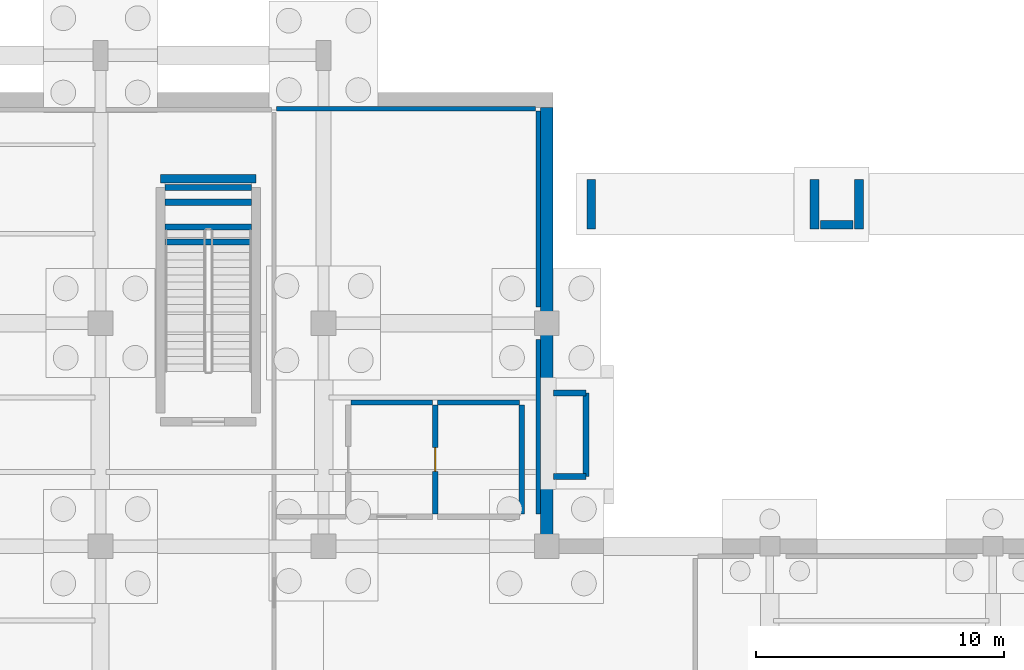
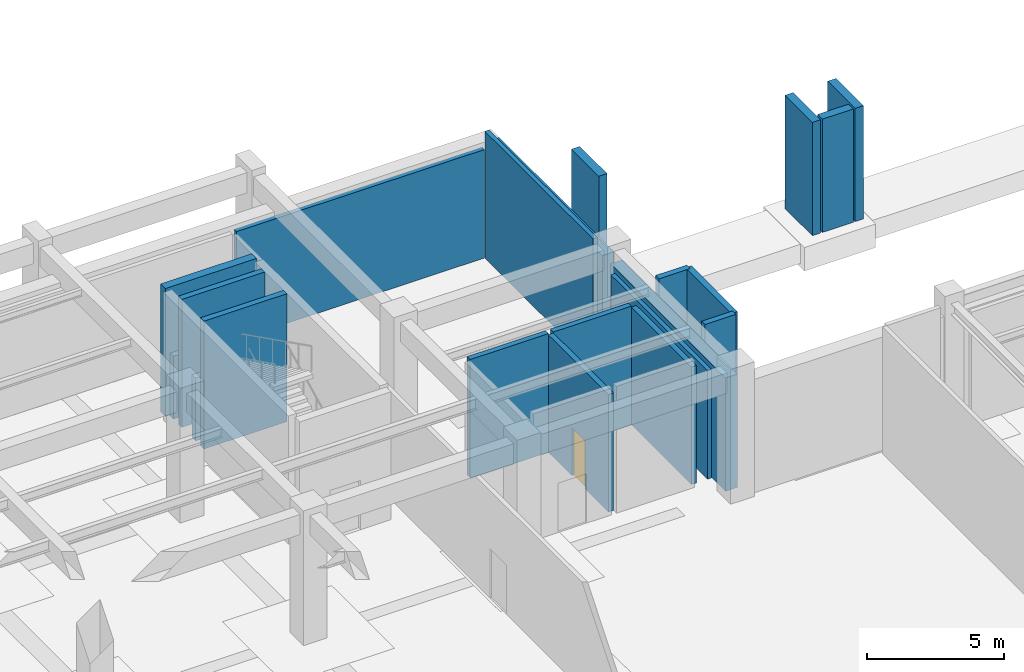
# One storey, part 22 of 36: 21 walls, 1 door, 1 opening.
"""IFC4 building model written with IfcOpenShell, lengths in metres."""

from ifc_helpers import new_model, si_unit, direction, frame, frame_2d, origin, place, context, subcontext, project, spatial, rectangle, extrude, material, layer, layer_set, type_object, element, fill, save


model = new_model("IFC4")

# Units and contexts
model_context = context("Model", 3, precision=1e-05, world=origin(), true_north=direction((0.0, 1.0)))
body_context = subcontext(model_context, "Body", "Model", "MODEL_VIEW")
ifc_project = project(units=[si_unit("LENGTHUNIT", "METRE"), si_unit("AREAUNIT", "SQUARE_METRE"), si_unit("VOLUMEUNIT", "CUBIC_METRE"), si_unit("PLANEANGLEUNIT", "RADIAN"), si_unit("MASSUNIT", "GRAM", prefix="KILO")], contexts=[model_context])

# Site, building, storey
site_placement = place(None, origin())
site = spatial("IfcSite", under=ifc_project, at=site_placement, CompositionType="ELEMENT")
building_placement = place(site_placement, origin())
building = spatial("IfcBuilding", under=site, at=building_placement, Name="Haizhuo Lancet Aquarium", CompositionType="ELEMENT")
storey_placement = place(building_placement, frame((0.0, 0.0, -6.0)))
storey = spatial("IfcBuildingStorey", under=building, at=storey_placement, Name="B1", CompositionType="ELEMENT", Elevation=-6.0)

# Walls
ifc_material_1 = material(Name="Concrete C40/50", Category="concrete")
ifc_layer_1 = layer(ifc_material_1, 0.179931640625)
ifc_layer_set_1 = layer_set([ifc_layer_1], Name="Concrete C40/50")
wall_type_1 = type_object("IfcWallType", Name="IWL-LAB-180", PredefinedType="PARTITIONING", material=ifc_layer_set_1)
wall_1_placement = place(storey_placement, frame((26.64990234375, 37.300048828125, 0.0), z_axis=(0.0, 0.0, 1.0), x_axis=(0.0, 1.0, 0.0)))
element("IfcWall", 1, at=wall_1_placement, inside=storey, type_object=wall_type_1, Name="B1 partition wall 75", PredefinedType="PARTITIONING", context=body_context, shape_type="SweptSolid", body=[
    extrude(rectangle(XDim=7.050048828125, YDim=0.179931640625, at=frame_2d((3.52490234375, 0.0))), origin(), (0.0, 0.0, 1.0), 4.8349609375),
])
wall_2_placement = place(storey_placement, frame((26.64990234375, 45.64990234375, 0.0), z_axis=(0.0, 0.0, 1.0), x_axis=(0.0, 1.0, 0.0)))
element("IfcWall", 2, at=wall_2_placement, inside=storey, type_object=wall_type_1, Name="B1 partition wall 76", PredefinedType="PARTITIONING", context=body_context, shape_type="SweptSolid", body=[
    extrude(rectangle(XDim=7.900146484375, YDim=0.179931640625, at=frame_2d((3.9501953125, 0.0))), origin(), (0.0, 0.0, 1.0), 5.64990234375),
])
wall_3_placement = place(storey_placement, frame((26.550048828125, 53.64990234375, 0.0), z_axis=(0.0, 0.0, 1.0), x_axis=(-1.0, 0.0, 0.0)))
element("IfcWall", 3, at=wall_3_placement, inside=storey, type_object=wall_type_1, Name="B1 partition wall 77", PredefinedType="PARTITIONING", context=body_context, shape_type="SweptSolid", body=[
    extrude(rectangle(XDim=10.449951171875, YDim=0.179931640625, at=frame_2d((5.22509765625, 0.0))), origin(), (0.0, 0.0, 1.0), 4.8349609375),
])

# Wall, opening, door
ifc_layer_2 = layer(ifc_material_1, 0.219970703125)
ifc_layer_set_2 = layer_set([ifc_layer_2], Name="Concrete C40/50")
wall_type_2 = type_object("IfcWallType", Name="IWL-PLB-220", PredefinedType="PLUMBINGWALL", material=ifc_layer_set_2)
wall_4_placement = place(storey_placement, frame((22.5, 37.300048828125, 0.0), z_axis=(0.0, 0.0, 1.0), x_axis=(0.0, 1.0, 0.0)))
wall_4 = element("IfcWall", 4, at=wall_4_placement, inside=storey, type_object=wall_type_2, Name="B1 partition wall 3", PredefinedType="PLUMBINGWALL", context=body_context, shape_type="SweptSolid", body=[
    extrude(rectangle(XDim=4.39990234375, YDim=0.219970703125, at=frame_2d((2.199951171875, 0.0))), origin(), (0.0, 0.0, 1.0), 5.235107421875),
])
opening_placement = place(wall_4_placement, frame((1.72509765625, 0.0, 0.0)))
opening = element("IfcOpeningElement", 5, at=opening_placement, cuts=wall_4, Name="Opening D-07", PredefinedType="OPENING", context=body_context, shape_type="SweptSolid", body=[
    extrude(rectangle(XDim=0.949951171875, YDim=2.14990234375, at=frame_2d((0.47509765625, 1.074951171875))), frame((0.0, 0.119873046875, 0.0), z_axis=(0.0, -1.0, 0.0), x_axis=(1.0, 0.0, 0.0)), (0.0, 0.0, 1.0), 0.239971),
])
ifc_material_2 = material(Name="Aluminium 6063-T6", Category="aluminium")
door_type = type_object("IfcDoorType", Name="IDR-WC-950x2150", OperationType="NOTDEFINED", PredefinedType="DOOR", material=ifc_material_2)
door_placement = place(opening_placement, origin())
door = element("IfcDoor", 6, at=door_placement, inside=storey, type_object=door_type, Name="B1 Staff Public WC door", OperationType="SINGLE_SWING_RIGHT", OverallHeight=2.14990234375, OverallWidth=0.949951171875, PredefinedType="DOOR", context=body_context, shape_type="SweptSolid", body=[
    extrude(rectangle(XDim=0.949951171875, YDim=2.14990234375, at=frame_2d((0.47509765625, 1.074951171875))), frame((0.0, 0.02490234375, 0.0), z_axis=(0.0, -1.0, 0.0), x_axis=(1.0, 0.0, 0.0)), (0.0, 0.0, 1.0), 0.050048828125),
])
fill(opening, door)

# Walls
wall_5_placement = place(storey_placement, frame((22.39990234375, 41.800048828125, 0.0), z_axis=(0.0, 0.0, 1.0), x_axis=(-1.0, 0.0, 0.0)))
element("IfcWall", 7, at=wall_5_placement, inside=storey, type_object=wall_type_2, Name="B1 partition wall 4", PredefinedType="PLUMBINGWALL", context=body_context, shape_type="SweptSolid", body=[
    extrude(rectangle(XDim=3.2998046875, YDim=0.219970703125, at=frame_2d((1.64990234375, 0.0))), origin(), (0.0, 0.0, 1.0), 5.284912109375),
])
wall_6_placement = place(storey_placement, frame((26.0, 37.300048828125, 0.0), z_axis=(0.0, 0.0, 1.0), x_axis=(0.0, 1.0, 0.0)))
element("IfcWall", 8, at=wall_6_placement, inside=storey, type_object=wall_type_2, Name="B1 partition wall 6", PredefinedType="PLUMBINGWALL", context=body_context, shape_type="SweptSolid", body=[
    extrude(rectangle(XDim=4.39990234375, YDim=0.219970703125, at=frame_2d((2.199951171875, 0.0))), origin(), (0.0, 0.0, 1.0), 5.235107421875),
])
wall_7_placement = place(storey_placement, frame((25.89990234375, 41.800048828125, 0.0), z_axis=(0.0, 0.0, 1.0), x_axis=(-1.0, 0.0, 0.0)))
element("IfcWall", 9, at=wall_7_placement, inside=storey, type_object=wall_type_2, Name="B1 partition wall 7", PredefinedType="PLUMBINGWALL", context=body_context, shape_type="SweptSolid", body=[
    extrude(rectangle(XDim=3.2998046875, YDim=0.219970703125, at=frame_2d((1.64990234375, 0.0))), origin(), (0.0, 0.0, 1.0), 5.284912109375),
])
ifc_layer_3 = layer(ifc_material_1, 0.35009765625)
ifc_layer_set_3 = layer_set([ifc_layer_3], Name="Concrete C40/50")
wall_type_3 = type_object("IfcWallType", Name="WL-CORE-350", PredefinedType="SHEAR", material=ifc_layer_set_3)
for number, where, z_axis, x_axis, name in (
    (10, (11.60009765625, 48.875, 0.0), (0.0, 0.0, 1.0), (1.0, 0.0, 0.0), "B1 ST-08 landing support wall"),
    (11, (11.60009765625, 50.47509765625, 0.0), (0.0, 0.0, 1.0), (1.0, 0.0, 0.0), "B1 ST-08 far landing support wall"),
):
    element("IfcWall", number, at=place(storey_placement, frame(where, z_axis=z_axis, x_axis=x_axis)), inside=storey, type_object=wall_type_3, Name=name, PredefinedType="SHEAR", context=body_context, shape_type="SweptSolid", body=[
        extrude(rectangle(XDim=3.5, YDim=0.25, at=frame_2d((1.75, 0.0))), origin(), (0.0, 0.0, 1.0), 2.800048828125),
    ])
for number, where, z_axis, x_axis, name in (
    (12, (11.60009765625, 48.27490234375, 0.0), (0.0, 0.0, 1.0), (1.0, 0.0, 0.0), "B1 ST-08 upper landing support wall UP1"),
    (13, (11.60009765625, 49.875, 0.0), (0.0, 0.0, 1.0), (1.0, 0.0, 0.0), "B1 ST-08 upper landing support wall UP2"),
):
    element("IfcWall", number, at=place(storey_placement, frame(where, z_axis=z_axis, x_axis=x_axis)), inside=storey, type_object=wall_type_3, Name=name, PredefinedType="SHEAR", context=body_context, shape_type="SweptSolid", body=[
        extrude(rectangle(XDim=3.5, YDim=0.25, at=frame_2d((1.75, 0.0))), origin(), (0.0, 0.0, 1.0), 5.699951171875),
    ])
wall_8_placement = place(storey_placement, frame((11.425048828125, 50.824951171875, 0.0), z_axis=(0.0, 0.0, 1.0), x_axis=(1.0, 0.0, 0.0)))
element("IfcWall", 14, at=wall_8_placement, inside=storey, type_object=wall_type_3, Name="B1 ST-08 core shear wall N", PredefinedType="SHEAR", context=body_context, shape_type="SweptSolid", body=[
    extrude(rectangle(XDim=3.849853515625, YDim=0.35009765625, at=frame_2d((1.9248046875, 0.0))), origin(), (0.0, 0.0, 1.0), 5.699951171875),
])
for number, where, z_axis, x_axis, name in (
    (15, (39.60009765625, 48.800048828125, 0.0), (0.0, 0.0, 1.0), (0.0, 1.0, 0.0), "North Plaza Accessible Plinth Ramp RMP-04 bearing wall MID1"),
    (16, (37.800048828125, 48.800048828125, 0.0), (0.0, 0.0, 1.0), (0.0, 1.0, 0.0), "North Plaza Accessible Plinth Ramp RMP-04 bearing wall MID2"),
):
    element("IfcWall", number, at=place(storey_placement, frame(where, z_axis=z_axis, x_axis=x_axis)), inside=storey, type_object=wall_type_3, material=ifc_material_1, Name=name, PredefinedType="SOLIDWALL", context=body_context, shape_type="SweptSolid", body=[
        extrude(rectangle(XDim=2.0, YDim=0.35009765625, at=frame_2d((1.0, 0.0))), origin(), (0.0, 0.0, 1.0), 5.051025390625),
    ])
wall_9_placement = place(storey_placement, frame((38.050048828125, 48.97509765625, 0.0), z_axis=(0.0, 0.0, 1.0), x_axis=(1.0, 0.0, 0.0)))
element("IfcWall", 17, at=wall_9_placement, inside=storey, type_object=wall_type_3, material=ifc_material_1, Name="North Plaza Accessible Plinth Ramp RMP-04 bearing wall SIDE", PredefinedType="SOLIDWALL", context=body_context, shape_type="SweptSolid", body=[
    extrude(rectangle(XDim=1.300048828125, YDim=0.35009765625, at=frame_2d((0.64990234375, 0.0))), origin(), (0.0, 0.0, 1.0), 5.050048828125),
])
wall_10_placement = place(storey_placement, frame((28.800048828125, 48.800048828125, 0.0), z_axis=(0.0, 0.0, 1.0), x_axis=(0.0, 1.0, 0.0)))
element("IfcWall", 18, at=wall_10_placement, inside=storey, type_object=wall_type_3, material=ifc_material_1, Name="North Plaza Accessible Plinth Ramp RMP-04 bearing wall TOP", PredefinedType="SOLIDWALL", context=body_context, shape_type="SweptSolid", body=[
    extrude(rectangle(XDim=2.0, YDim=0.35009765625, at=frame_2d((1.0, 0.0))), origin(), (0.0, 0.0, 1.0), 5.801025390625),
])
for number, where, z_axis, x_axis, name in (
    (19, (28.580078125, 38.820068359375, 0.0), (0.0, 0.0, 1.0), (-1.0, 0.0, 0.0), "Entrance apron skirt wall 5.1"),
    (20, (27.27001953125, 42.179931640625, 0.0), (0.0, 0.0, 1.0), (1.0, 0.0, 0.0), "Entrance apron skirt wall 5.2"),
):
    element("IfcWall", number, at=place(storey_placement, frame(where, z_axis=z_axis, x_axis=x_axis)), inside=storey, type_object=wall_type_3, material=ifc_material_1, Name=name, PredefinedType="SOLIDWALL", context=body_context, shape_type="SweptSolid", body=[
        extrude(rectangle(XDim=1.31005859375, YDim=0.25, at=frame_2d((0.655029296875, 0.0))), origin(), (0.0, 0.0, 1.0), 5.800048828125),
    ])
wall_11_placement = place(storey_placement, frame((28.580078125, 42.179931640625, 0.0), z_axis=(0.0, 0.0, 1.0), x_axis=(0.0, -1.0, 0.0)))
element("IfcWall", 21, at=wall_11_placement, inside=storey, type_object=wall_type_3, material=ifc_material_1, Name="Entrance apron skirt wall 5.3", PredefinedType="SOLIDWALL", context=body_context, shape_type="SweptSolid", body=[
    extrude(rectangle(XDim=3.35986328125, YDim=0.25, at=frame_2d((1.679931640625, 0.0))), origin(), (0.0, 0.0, 1.0), 5.800048828125),
])
ifc_material_3 = material(Name="Concrete C45/55", Category="concrete")
ifc_layer_4 = layer(ifc_material_3, 0.5)
ifc_layer_set_4 = layer_set([ifc_layer_4], Name="Concrete C45/55")
wall_type_4 = type_object("IfcWallType", Name="WL-RET-500", PredefinedType="USERDEFINED", material=ifc_layer_set_4)
for number, where, z_axis, x_axis, name in (
    (22, (27.0, 36.300048828125, 0.0), (0.0, 0.0, 1.0), (0.0, 1.0, 0.0), "B1 waterproof perimeter retaining wall 12.1"),
    (23, (27.0, 45.300048828125, 0.0), (0.0, 0.0, 1.0), (0.0, 1.0, 0.0), "B1 waterproof perimeter retaining wall 12.2"),
):
    element("IfcWall", number, at=place(storey_placement, frame(where, z_axis=z_axis, x_axis=x_axis)), inside=storey, type_object=wall_type_4, Name=name, ObjectType="RETAININGWALL", PredefinedType="USERDEFINED", context=body_context, shape_type="SweptSolid", body=[
        extrude(rectangle(XDim=8.39990234375, YDim=0.5, at=frame_2d((4.199951171875, 0.0))), origin(), (0.0, 0.0, 1.0), 5.050048828125),
    ])

save(model, "model.ifc")
